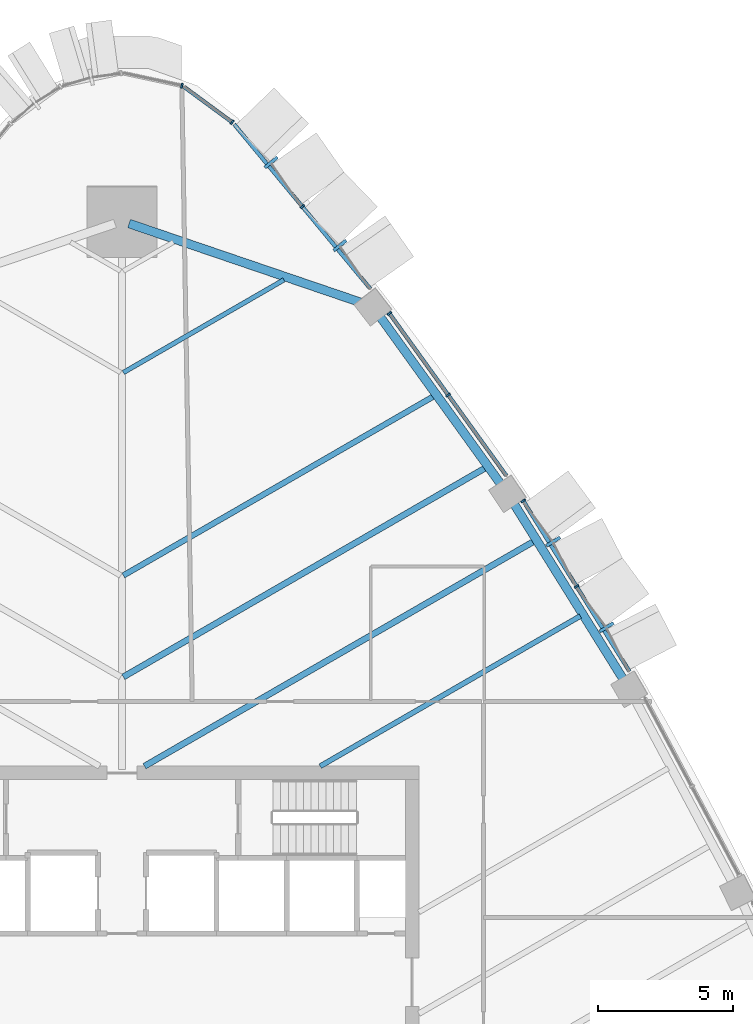
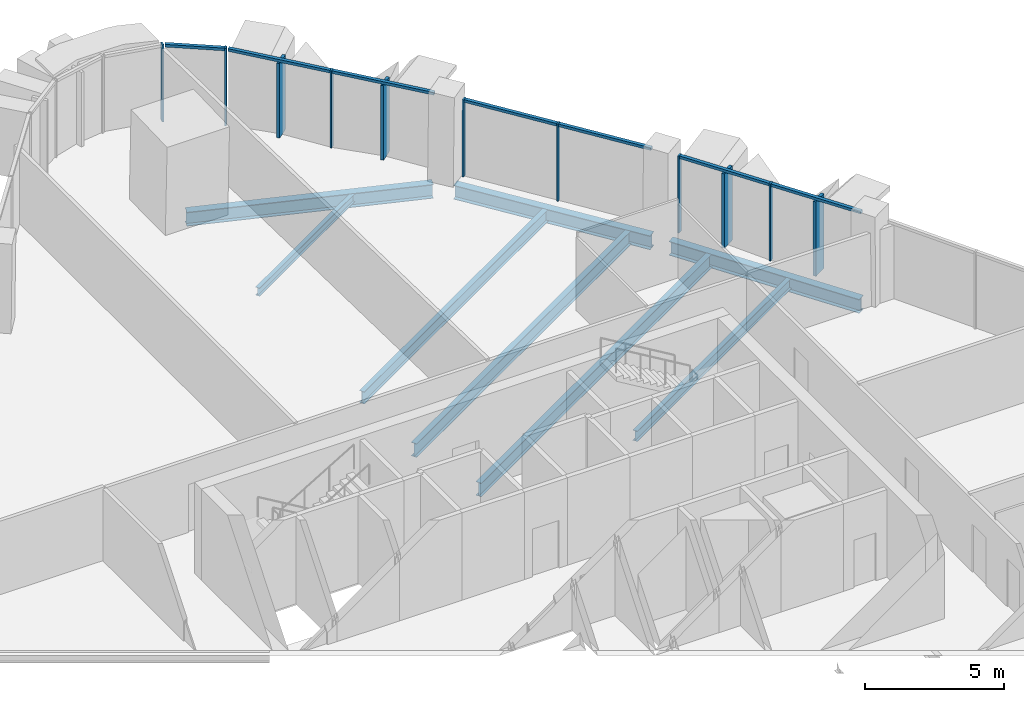
# One storey, part 7 of 17: 18 members, 8 beams, 5 elements without a shape of their own.
"""IFC4 building model written with IfcOpenShell, lengths in metres."""

from ifc_helpers import new_model, si_unit, direction, frame, origin, origin_2d, place, context, subcontext, project, spatial, rectangle, i_section, extrude, material, layer, layer_set, material_profile, profile_set, type_object, element, aggregate, save


model = new_model("IFC4")

# Units and contexts
model_context = context("Model", 3, precision=1e-05, world=origin(), true_north=direction((0.0, 1.0)))
body_context = subcontext(model_context, "Body", "Model", "MODEL_VIEW")
ifc_project = project(units=[si_unit("LENGTHUNIT", "METRE"), si_unit("AREAUNIT", "SQUARE_METRE"), si_unit("VOLUMEUNIT", "CUBIC_METRE"), si_unit("PLANEANGLEUNIT", "RADIAN"), si_unit("MASSUNIT", "GRAM", prefix="KILO")], contexts=[model_context])

# Site, building, storey
site_placement = place(None, origin())
site = spatial("IfcSite", under=ifc_project, at=site_placement, CompositionType="ELEMENT")
building_placement = place(site_placement, origin())
building = spatial("IfcBuilding", under=site, at=building_placement, Name="Sierra Prisma Convention Tower", CompositionType="ELEMENT")
storey_placement = place(building_placement, frame((0.0, 0.0, 149.800048828125)))
storey = spatial("IfcBuildingStorey", under=building, at=storey_placement, Name="L32", CompositionType="ELEMENT", Elevation=149.800048828125)

# Curtain wall, members
ifc_material_1 = material(Name="Aluminium and glass curtain wall", Category="aluminium")
ifc_layer_1 = layer(ifc_material_1, 0.179931640625)
ifc_layer_set_1 = layer_set([ifc_layer_1], Name="CW-2 Faceted crystal curtain wall")
curtain_wall_type_1 = type_object("IfcCurtainWallType", Name="CW-2 Faceted crystal curtain wall", PredefinedType="NOTDEFINED", material=ifc_layer_set_1)
curtain_wall_1_placement = place(storey_placement, origin())
curtain_wall_1 = element("IfcCurtainWall", 1, at=curtain_wall_1_placement, inside=storey, type_object=curtain_wall_type_1, Name="CW-2 NE4 L32", PredefinedType="NOTDEFINED")
ifc_material_2 = material(Name="Aluminium 6063-T6 bronze anodised", Category="aluminium")
ifc_material_profile_1 = material_profile(ifc_material_2, rectangle(XDim=0.1201171875, YDim=0.60009765625, at=origin_2d()), Name="ALU RIDGE BLADE 120x600")
ifc_profile_set_1 = profile_set([ifc_material_profile_1], Name="Aluminium 6063-T6 bronze anodised")
member_type_1 = type_object("IfcMemberType", Name="CW hip bronze", PredefinedType="MULLION", material=ifc_profile_set_1)
member_1_placement = place(storey_placement, frame((17.95654296875, 13.1484375, 0.0), z_axis=(0.0, 0.0, 1.0), x_axis=(-0.528801691616, 0.848745409969, 0.0)))
member_1 = element("IfcMember", 2, at=member_1_placement, type_object=member_type_1, Name="CW-2 ridge NE4.1", PredefinedType="MULLION", context=body_context, shape_type="SweptSolid", body=[
    extrude(rectangle(XDim=0.1201171875, YDim=0.60009765625, at=origin_2d()), origin(), (0.0, 0.0, 1.0), 3.280029296875),
])
member_2_placement = place(storey_placement, frame((15.978515625, 16.322998046875, 0.0), z_axis=(0.0, 0.0, 1.0), x_axis=(-0.528801691616, 0.848745409969, 0.0)))
member_2 = element("IfcMember", 3, at=member_2_placement, type_object=member_type_1, Name="CW-2 ridge NE4.2", PredefinedType="MULLION", context=body_context, shape_type="SweptSolid", body=[
    extrude(rectangle(XDim=0.1201171875, YDim=0.60009765625, at=origin_2d()), origin(), (0.0, 0.0, 1.0), 3.280029296875),
])

curtain_wall_2_placement = place(storey_placement, origin())
curtain_wall_2 = element("IfcCurtainWall", 4, at=curtain_wall_2_placement, inside=storey, type_object=curtain_wall_type_1, Name="CW-2 NE6 L32", PredefinedType="NOTDEFINED")
member_3_placement = place(storey_placement, frame((8.0751953125, 27.2958984375, 0.0), z_axis=(0.0, 0.0, 1.0), x_axis=(-0.637728245277, 0.770261439497, 0.0)))
member_3 = element("IfcMember", 5, at=member_3_placement, type_object=member_type_1, Name="CW-2 ridge NE6.1", PredefinedType="MULLION", context=body_context, shape_type="SweptSolid", body=[
    extrude(rectangle(XDim=0.1201171875, YDim=0.60009765625, at=origin_2d()), origin(), (0.0, 0.0, 1.0), 3.280029296875),
])
member_4_placement = place(storey_placement, frame((5.526611328125, 30.374267578125, 0.0), z_axis=(0.0, 0.0, 1.0), x_axis=(-0.637728245277, 0.770261439497, 0.0)))
member_4 = element("IfcMember", 6, at=member_4_placement, type_object=member_type_1, Name="CW-2 ridge NE6.2", PredefinedType="MULLION", context=body_context, shape_type="SweptSolid", body=[
    extrude(rectangle(XDim=0.1201171875, YDim=0.60009765625, at=origin_2d()), origin(), (0.0, 0.0, 1.0), 3.280029296875),
])

# Member
ifc_material_3 = material(Name="Aluminium 6063-T6 bronze anodised", Category="aluminium")
ifc_material_profile_2 = material_profile(ifc_material_3, rectangle(XDim=0.179931640625, YDim=0.070068359375, at=origin_2d()), Name="ALU MULLION 70x180")
ifc_profile_set_2 = profile_set([ifc_material_profile_2], Name="Aluminium 6063-T6 bronze anodised")
member_type_2 = type_object("IfcMemberType", Name="CW mullion bronze", PredefinedType="MULLION", material=ifc_profile_set_2)
member_5_placement = place(storey_placement, frame((16.844970703125, 14.659423828125, 0.0), z_axis=(0.0, 0.0, 1.0), x_axis=(-0.848745409969, -0.528801691616, 0.0)))
member_5 = element("IfcMember", 7, at=member_5_placement, type_object=member_type_2, Name="CW-1 mullion NE4.2", PredefinedType="MULLION", context=body_context, shape_type="SweptSolid", body=[
    extrude(rectangle(XDim=0.179931640625, YDim=0.070068359375, at=origin_2d()), origin(), (0.0, 0.0, 1.0), 3.39990234375),
])

member_6_placement = place(storey_placement, frame((14.866943359375, 17.833984375, 0.0), z_axis=(0.0, 0.0, 1.0), x_axis=(-0.848745409969, -0.528801691616, 0.0)))
member_6 = element("IfcMember", 8, at=member_6_placement, type_object=member_type_2, Name="CW-1 mullion NE4.3", PredefinedType="MULLION", context=body_context, shape_type="SweptSolid", body=[
    extrude(rectangle(XDim=0.179931640625, YDim=0.070068359375, at=origin_2d()), origin(), (0.0, 0.0, 1.0), 3.39990234375),
])

# Curtain wall, members
ifc_material_4 = material(Name="Aluminium and glass curtain wall", Category="aluminium")
ifc_layer_2 = layer(ifc_material_4, 0.179931640625)
ifc_layer_set_2 = layer_set([ifc_layer_2], Name="CW-1 Plain shaft curtain wall")
curtain_wall_type_2 = type_object("IfcCurtainWallType", Name="CW-1 Plain shaft curtain wall", PredefinedType="NOTDEFINED", material=ifc_layer_set_2)
curtain_wall_3_placement = place(storey_placement, origin())
curtain_wall_3 = element("IfcCurtainWall", 9, at=curtain_wall_3_placement, inside=storey, type_object=curtain_wall_type_2, Name="CW-1 NE5 L32", PredefinedType="NOTDEFINED")
member_7_placement = place(storey_placement, frame((12.08740234375, 21.7548828125, 0.0), z_axis=(0.0, 0.0, 1.0), x_axis=(-0.811333496891, -0.584583575566, 0.0)))
member_7 = element("IfcMember", 10, at=member_7_placement, type_object=member_type_2, Name="CW-1 mullion NE5.2", PredefinedType="MULLION", context=body_context, shape_type="SweptSolid", body=[
    extrude(rectangle(XDim=0.179931640625, YDim=0.070068359375, at=origin_2d()), origin(), (0.0, 0.0, 1.0), 3.39990234375),
])
member_8_placement = place(storey_placement, frame((9.90966796875, 24.777099609375, 0.0), z_axis=(0.0, 0.0, 1.0), x_axis=(-0.811333496891, -0.584583575566, 0.0)))
member_8 = element("IfcMember", 11, at=member_8_placement, type_object=member_type_2, Name="CW-1 mullion NE5.3", PredefinedType="MULLION", context=body_context, shape_type="SweptSolid", body=[
    extrude(rectangle(XDim=0.179931640625, YDim=0.070068359375, at=origin_2d()), origin(), (0.0, 0.0, 1.0), 3.39990234375),
])

# Member
member_9_placement = place(storey_placement, frame((6.681884765625, 28.736572265625, 0.0), z_axis=(0.0, 0.0, 1.0), x_axis=(-0.770261439497, -0.637728245277, 0.0)))
member_9 = element("IfcMember", 12, at=member_9_placement, type_object=member_type_2, Name="CW-1 mullion NE6.2", PredefinedType="MULLION", context=body_context, shape_type="SweptSolid", body=[
    extrude(rectangle(XDim=0.179931640625, YDim=0.070068359375, at=origin_2d()), origin(), (0.0, 0.0, 1.0), 3.39990234375),
])

# Curtain wall, member
curtain_wall_4_placement = place(storey_placement, origin())
curtain_wall_4 = element("IfcCurtainWall", 13, at=curtain_wall_4_placement, inside=storey, type_object=curtain_wall_type_2, Name="CW-1 N1 L32", PredefinedType="NOTDEFINED")
member_10_placement = place(storey_placement, frame((4.082763671875, 31.862548828125, 0.0), z_axis=(0.0, 0.0, 1.0), x_axis=(-0.592570540425, -0.805518562555, 0.0)))
member_10 = element("IfcMember", 14, at=member_10_placement, type_object=member_type_2, Name="CW-1 mullion N1.1", PredefinedType="MULLION", context=body_context, shape_type="SweptSolid", body=[
    extrude(rectangle(XDim=0.179931640625, YDim=0.070068359375, at=origin_2d()), origin(), (0.0, 0.0, 1.0), 3.39990234375),
])

curtain_wall_5_placement = place(storey_placement, origin())
curtain_wall_5 = element("IfcCurtainWall", 15, at=curtain_wall_5_placement, inside=storey, type_object=curtain_wall_type_2, Name="CW-1 N2 L32", PredefinedType="NOTDEFINED")
member_11_placement = place(storey_placement, frame((2.2197265625, 33.215087890625, 0.0), z_axis=(0.0, 0.0, 1.0), x_axis=(-0.209844018823, -0.977734876009, 0.0)))
member_11 = element("IfcMember", 16, at=member_11_placement, type_object=member_type_2, Name="CW-1 mullion N2.1", PredefinedType="MULLION", context=body_context, shape_type="SweptSolid", body=[
    extrude(rectangle(XDim=0.179931640625, YDim=0.070068359375, at=origin_2d()), origin(), (0.0, 0.0, 1.0), 3.39990234375),
])
aggregate(curtain_wall_5, [member_11])

# Member
ifc_material_5 = material(Name="Aluminium 6063-T6 bronze anodised", Category="aluminium")
ifc_material_profile_3 = material_profile(ifc_material_5, rectangle(XDim=0.139892578125, YDim=0.1201171875, at=origin_2d()), Name="ALU TRANSOM 120x140")
ifc_profile_set_3 = profile_set([ifc_material_profile_3], Name="Aluminium 6063-T6 bronze anodised")
member_type_3 = type_object("IfcMemberType", Name="CW transom bronze", PredefinedType="USERDEFINED", material=ifc_profile_set_3)
member_12_placement = place(storey_placement, frame((18.804443359375, 11.514404296875, 3.33984375), z_axis=(-0.528802618849, 0.848744832266, 0.0), x_axis=(-0.848744832266, -0.528802618849, 0.0)))
member_12 = element("IfcMember", 17, at=member_12_placement, type_object=member_type_3, Name="CW-1 transom NE4.1", ObjectType="TRANSOM", PredefinedType="USERDEFINED", context=body_context, shape_type="SweptSolid", body=[
    extrude(rectangle(XDim=0.139892578125, YDim=0.1201171875, at=origin_2d()), origin(), (0.0, 0.0, 1.0), 3.67041015625),
])

member_13_placement = place(storey_placement, frame((16.826416015625, 14.689208984375, 3.33984375), z_axis=(-0.528832473842, 0.84872623066, 0.0), x_axis=(-0.84872623066, -0.528832473842, 0.0)))
member_13 = element("IfcMember", 18, at=member_13_placement, type_object=member_type_3, Name="CW-1 transom NE4.2", ObjectType="TRANSOM", PredefinedType="USERDEFINED", context=body_context, shape_type="SweptSolid", body=[
    extrude(rectangle(XDim=0.139892578125, YDim=0.1201171875, at=origin_2d()), origin(), (0.0, 0.0, 1.0), 3.670166015625),
])

aggregate(curtain_wall_1, [member_5, member_6, member_12, member_1, member_13, member_2])

member_14_placement = place(storey_placement, frame((14.244384765625, 18.760986328125, 3.33984375), z_axis=(-0.584607348119, 0.811316367717, 0.0), x_axis=(-0.811316367717, -0.584607348119, 0.0)))
member_14 = element("IfcMember", 19, at=member_14_placement, type_object=member_type_3, Name="CW-1 transom NE5.1", ObjectType="TRANSOM", PredefinedType="USERDEFINED", context=body_context, shape_type="SweptSolid", body=[
    extrude(rectangle(XDim=0.139892578125, YDim=0.1201171875, at=origin_2d()), origin(), (0.0, 0.0, 1.0), 3.655029296875),
])

member_15_placement = place(storey_placement, frame((12.06689453125, 21.783203125, 3.33984375), z_axis=(-0.584607348119, 0.811316367717, 0.0), x_axis=(-0.811316367717, -0.584607348119, 0.0)))
member_15 = element("IfcMember", 20, at=member_15_placement, type_object=member_type_3, Name="CW-1 transom NE5.2", ObjectType="TRANSOM", PredefinedType="USERDEFINED", context=body_context, shape_type="SweptSolid", body=[
    extrude(rectangle(XDim=0.139892578125, YDim=0.1201171875, at=origin_2d()), origin(), (0.0, 0.0, 1.0), 3.655029296875),
])

aggregate(curtain_wall_3, [member_7, member_8, member_14, member_15])

member_16_placement = place(storey_placement, frame((9.208251953125, 25.68505859375, 3.33984375), z_axis=(-0.637710228285, 0.770276356083, 0.0), x_axis=(-0.770276356083, -0.637710228285, 0.0)))
member_16 = element("IfcMember", 21, at=member_16_placement, type_object=member_type_3, Name="CW-1 transom NE6.1", ObjectType="TRANSOM", PredefinedType="USERDEFINED", context=body_context, shape_type="SweptSolid", body=[
    extrude(rectangle(XDim=0.139892578125, YDim=0.1201171875, at=origin_2d()), origin(), (0.0, 0.0, 1.0), 3.926513671875),
])

member_17_placement = place(storey_placement, frame((6.65966796875, 28.763427734375, 3.33984375), z_axis=(-0.637747118626, 0.770245813156, 0.0), x_axis=(-0.770245813156, -0.637747118626, 0.0)))
member_17 = element("IfcMember", 22, at=member_17_placement, type_object=member_type_3, Name="CW-1 transom NE6.2", ObjectType="TRANSOM", PredefinedType="USERDEFINED", context=body_context, shape_type="SweptSolid", body=[
    extrude(rectangle(XDim=0.139892578125, YDim=0.1201171875, at=origin_2d()), origin(), (0.0, 0.0, 1.0), 3.926513671875),
])

aggregate(curtain_wall_2, [member_9, member_16, member_3, member_17, member_4])

member_18_placement = place(storey_placement, frame((4.054443359375, 31.88330078125, 3.33984375), z_axis=(-0.805540203624, 0.592541121227, 0.0), x_axis=(-0.592541121227, -0.805540203624, 0.0)))
member_18 = element("IfcMember", 23, at=member_18_placement, type_object=member_type_3, Name="CW-1 transom N1.1", ObjectType="TRANSOM", PredefinedType="USERDEFINED", context=body_context, shape_type="SweptSolid", body=[
    extrude(rectangle(XDim=0.139892578125, YDim=0.1201171875, at=origin_2d()), origin(), (0.0, 0.0, 1.0), 2.165283203125),
])

aggregate(curtain_wall_4, [member_10, member_18])

# Beams
ifc_material_6 = material(Name="Steel ASTM A992 Gr 50", Category="steel")
ifc_material_profile_4 = material_profile(ifc_material_6, i_section(OverallWidth=0.172119140625, OverallDepth=0.35791015625, WebThickness=0.0078125, FlangeThickness=0.01318359375, at=origin_2d()), Name="W360x57")
ifc_profile_set_4 = profile_set([ifc_material_profile_4], Name="Steel ASTM A992 Gr 50")
beam_type_1 = type_object("IfcBeamType", Name="Floor joist W360x57", PredefinedType="JOIST", material=ifc_profile_set_4)
beam_1_placement = place(storey_placement, frame((5.99951171875, 26.022705078125, -0.3291015625), z_axis=(-0.866036433311, -0.499980895813, 0.0), x_axis=(0.499980895813, -0.866036433311, 0.0)))
element("IfcBeam", 24, at=beam_1_placement, inside=storey, type_object=beam_type_1, Name="Floor joist L32 NE14", PredefinedType="JOIST", context=body_context, shape_type="SweptSolid", body=[
    extrude(i_section(OverallWidth=0.172119140625, OverallDepth=0.35791015625, WebThickness=0.0078125, FlangeThickness=0.01318359375, at=origin_2d()), origin(), (0.0, 0.0, 1.0), 6.868896484375),
])
ifc_material_7 = material(Name="Steel ASTM A992 Gr 50", Category="steel")
ifc_material_profile_5 = material_profile(ifc_material_7, i_section(OverallWidth=0.18994140625, OverallDepth=0.45703125, WebThickness=0.009033203125, FlangeThickness=0.014404296875, at=origin_2d()), Name="W460x74")
ifc_profile_set_5 = profile_set([ifc_material_profile_5], Name="Steel ASTM A992 Gr 50")
beam_type_2 = type_object("IfcBeamType", Name="Floor joist W460x74", PredefinedType="JOIST", material=ifc_profile_set_5)
beam_2_placement = place(storey_placement, frame((16.982177734375, 13.564453125, -0.378662109375), z_axis=(-0.866025941219, -0.499999069135, 0.0), x_axis=(0.499999069135, -0.866025941219, 0.0)))
element("IfcBeam", 25, at=beam_2_placement, inside=storey, type_object=beam_type_2, Name="Floor joist L32 NE09", PredefinedType="JOIST", context=body_context, shape_type="SweptSolid", body=[
    extrude(i_section(OverallWidth=0.18994140625, OverallDepth=0.45703125, WebThickness=0.009033203125, FlangeThickness=0.014404296875, at=origin_2d()), origin(), (0.0, 0.0, 1.0), 11.12890625),
])
ifc_material_8 = material(Name="Steel ASTM A992 Gr 50", Category="steel")
ifc_material_profile_6 = material_profile(ifc_material_8, i_section(OverallWidth=0.208984375, OverallDepth=0.532958984375, WebThickness=0.01025390625, FlangeThickness=0.015625, at=origin_2d()), Name="W530x92")
ifc_profile_set_6 = profile_set([ifc_material_profile_6], Name="Steel ASTM A992 Gr 50")
beam_type_3 = type_object("IfcBeamType", Name="Floor joist W530x92", PredefinedType="JOIST", material=ifc_profile_set_6)
beam_3_placement = place(storey_placement, frame((11.55078125, 21.708251953125, -0.41650390625), z_axis=(-0.866021479586, -0.50000679685, 0.0), x_axis=(0.50000679685, -0.866021479586, 0.0)))
element("IfcBeam", 26, at=beam_3_placement, inside=storey, type_object=beam_type_3, Name="Floor joist L32 NE12", PredefinedType="JOIST", context=body_context, shape_type="SweptSolid", body=[
    extrude(i_section(OverallWidth=0.208984375, OverallDepth=0.532958984375, WebThickness=0.01025390625, FlangeThickness=0.015625, at=origin_2d()), origin(), (0.0, 0.0, 1.0), 13.279052734375),
])
ifc_material_9 = material(Name="Steel ASTM A992 Gr 50", Category="steel")
ifc_material_profile_7 = material_profile(ifc_material_9, i_section(OverallWidth=0.22802734375, OverallDepth=0.60302734375, WebThickness=0.010498046875, FlangeThickness=0.014892578125, at=origin_2d()), Name="W610x101")
ifc_profile_set_7 = profile_set([ifc_material_profile_7], Name="Steel ASTM A992 Gr 50")
beam_type_4 = type_object("IfcBeamType", Name="Floor joist W610x101", PredefinedType="JOIST", material=ifc_profile_set_7)
beam_4_placement = place(storey_placement, frame((15.259521484375, 16.329833984375, -0.45166015625), z_axis=(-0.866022320763, -0.500005339912, 0.0), x_axis=(0.500005339912, -0.866022320763, 0.0)))
element("IfcBeam", 27, at=beam_4_placement, inside=storey, type_object=beam_type_4, Name="Floor joist L32 NE10", PredefinedType="JOIST", context=body_context, shape_type="SweptSolid", body=[
    extrude(i_section(OverallWidth=0.22802734375, OverallDepth=0.60302734375, WebThickness=0.010498046875, FlangeThickness=0.014892578125, at=origin_2d()), origin(), (0.0, 0.0, 1.0), 16.659423828125),
])
beam_5_placement = place(storey_placement, frame((13.4638671875, 19.052978515625, -0.45166015625), z_axis=(-0.866022835906, -0.500004447669, 0.0), x_axis=(0.500004447669, -0.866022835906, 0.0)))
element("IfcBeam", 28, at=beam_5_placement, inside=storey, type_object=beam_type_4, Name="Floor joist L32 NE11", PredefinedType="JOIST", context=body_context, shape_type="SweptSolid", body=[
    extrude(i_section(OverallWidth=0.22802734375, OverallDepth=0.60302734375, WebThickness=0.010498046875, FlangeThickness=0.014892578125, at=origin_2d()), origin(), (0.0, 0.0, 1.0), 15.488037109375),
])
ifc_material_10 = material(Name="Steel ASTM A992 Gr 50", Category="steel")
ifc_material_profile_8 = material_profile(ifc_material_10, i_section(OverallWidth=0.324951171875, OverallDepth=0.615966796875, WebThickness=0.013916015625, FlangeThickness=0.021484375, at=origin_2d()), Name="W610x174")
ifc_profile_set_8 = profile_set([ifc_material_profile_8], Name="Steel ASTM A992 Gr 50")
beam_type_5 = type_object("IfcBeamType", Name="Spandrel beam W610x174", PredefinedType="BEAM", material=ifc_profile_set_8)
beam_6_placement = place(storey_placement, frame((18.6015625, 11.178466796875, -0.4580078125), z_axis=(-0.528805081708, 0.8487432978, 0.0), x_axis=(-0.8487432978, -0.528805081708, 0.0)))
element("IfcBeam", 29, at=beam_6_placement, inside=storey, type_object=beam_type_5, Name="Spandrel L32-10", PredefinedType="BEAM", context=body_context, shape_type="SweptSolid", body=[
    extrude(i_section(OverallWidth=0.324951171875, OverallDepth=0.615966796875, WebThickness=0.013916015625, FlangeThickness=0.021484375, at=origin_2d()), origin(), (0.0, 0.0, 1.0), 7.77880859375),
])
beam_7_placement = place(storey_placement, frame((14.064697265625, 18.412109375, -0.4580078125), z_axis=(-0.584599847398, 0.811321772432, 0.0), x_axis=(-0.811321772432, -0.584599847398, 0.0)))
element("IfcBeam", 30, at=beam_7_placement, inside=storey, type_object=beam_type_5, Name="Spandrel L32-11", PredefinedType="BEAM", context=body_context, shape_type="SweptSolid", body=[
    extrude(i_section(OverallWidth=0.324951171875, OverallDepth=0.615966796875, WebThickness=0.013916015625, FlangeThickness=0.021484375, at=origin_2d()), origin(), (0.0, 0.0, 1.0), 7.779052734375),
])
beam_8_placement = place(storey_placement, frame((8.841064453125, 25.1865234375, -0.4580078125), z_axis=(-0.946569990836, 0.322498453405, 0.0), x_axis=(-0.322498453405, -0.946569990836, 0.0)))
element("IfcBeam", 31, at=beam_8_placement, inside=storey, type_object=beam_type_5, Name="Spandrel L32-12", PredefinedType="BEAM", context=body_context, shape_type="SweptSolid", body=[
    extrude(i_section(OverallWidth=0.324951171875, OverallDepth=0.615966796875, WebThickness=0.013916015625, FlangeThickness=0.021484375, at=origin_2d()), origin(), (0.0, 0.0, 1.0), 9.0654296875),
])

save(model, "model.ifc")
